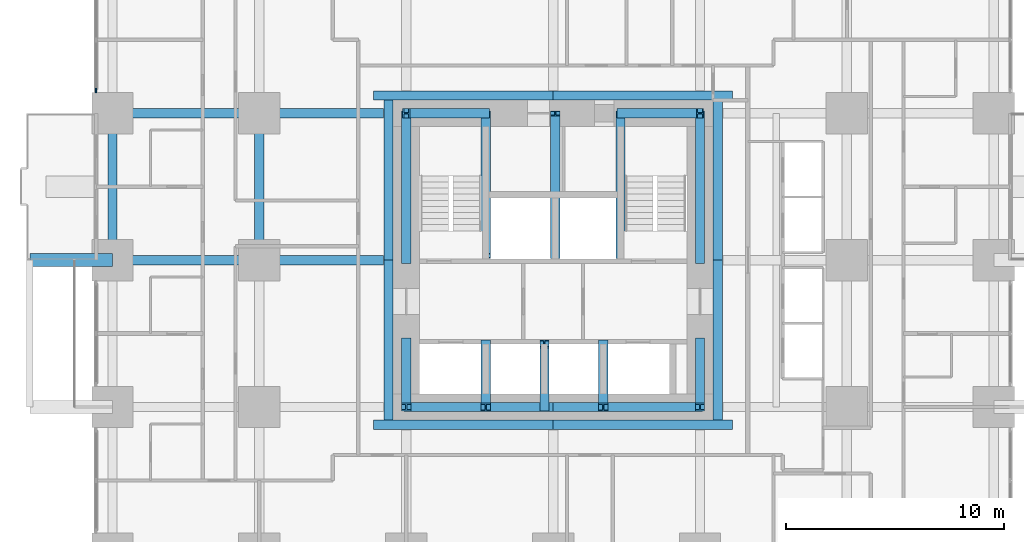
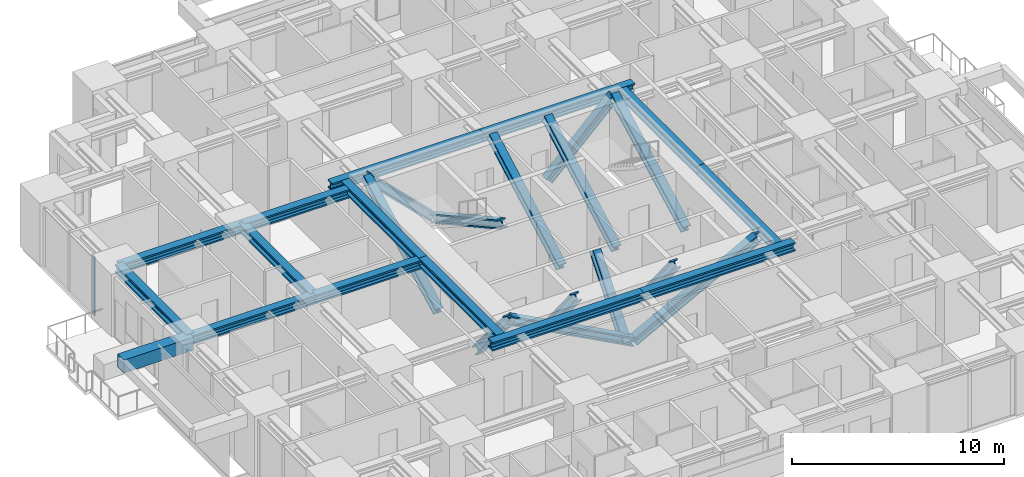
# One storey, part 3 of 14: 15 beams, 15 members, 1 element without a shape of its own.
"""IFC4 building model written with IfcOpenShell, lengths in metres."""

from ifc_helpers import new_model, si_unit, direction, frame, origin, origin_2d, place, context, subcontext, project, spatial, rectangle, i_section, extrude, material, material_profile, profile_set, type_object, element, aggregate, save


model = new_model("IFC4")

# Units and contexts
model_context = context("Model", 3, precision=1e-05, world=origin(), true_north=direction((0.0, 1.0)))
body_context = subcontext(model_context, "Body", "Model", "MODEL_VIEW")
ifc_project = project(units=[si_unit("LENGTHUNIT", "METRE"), si_unit("AREAUNIT", "SQUARE_METRE"), si_unit("VOLUMEUNIT", "CUBIC_METRE"), si_unit("PLANEANGLEUNIT", "RADIAN"), si_unit("MASSUNIT", "GRAM", prefix="KILO")], contexts=[model_context])

# Site, building, storey
site_placement = place(None, origin())
site = spatial("IfcSite", under=ifc_project, at=site_placement, CompositionType="ELEMENT")
building_placement = place(site_placement, origin())
building = spatial("IfcBuilding", under=site, at=building_placement, Name="Nyansa Garden Tower", CompositionType="ELEMENT")
storey_placement = place(building_placement, frame((0.0, 0.0, 28.800048828125)))
storey = spatial("IfcBuildingStorey", under=building, at=storey_placement, Name="L07", CompositionType="ELEMENT", Elevation=28.800048828125)

# Beam
ifc_material_1 = material(Name="Concrete C70/85", Category="concrete")
ifc_material_profile_1 = material_profile(ifc_material_1, rectangle(XDim=0.60009765625, YDim=0.75, at=origin_2d()), Name="RC 600x750")
ifc_profile_set_1 = profile_set([ifc_material_profile_1], Name="Concrete C70/85")
beam_type_1 = type_object("IfcBeamType", Name="Balcony cantilever beam CB1 RC 600x750", PredefinedType="BEAM", material=ifc_profile_set_1)
beam_1_placement = place(storey_placement, frame((0.0, 20.25, 2.98486328125), z_axis=(-1.0, 0.0, 0.0), x_axis=(0.0, -1.0, 0.0)))
element("IfcBeam", 1, at=beam_1_placement, inside=storey, type_object=beam_type_1, Name="Balcony cantilever beam L08", PredefinedType="BEAM", context=body_context, shape_type="SweptSolid", body=[
    extrude(rectangle(XDim=0.60009765625, YDim=0.75, at=origin_2d()), origin(), (0.0, 0.0, 1.0), 3.800048828125),
])

# Curtain wall, member
ifc_material_2 = material(Name="Black anodised aluminium, dark tinted double glazing", Category="aluminium")
curtain_wall_type = type_object("IfcCurtainWallType", Name="Inner skin curtain wall ISW-A", PredefinedType="USERDEFINED", material=ifc_material_2)
curtain_wall_placement = place(storey_placement, origin())
curtain_wall = element("IfcCurtainWall", 2, at=curtain_wall_placement, inside=storey, type_object=curtain_wall_type, Name="Inner skin curtain wall L07 W", ObjectType="UNITISED CURTAIN WALL", PredefinedType="USERDEFINED")
ifc_material_3 = material(Name="Black anodised aluminium", Category="aluminium")
ifc_material_profile_2 = material_profile(ifc_material_3, rectangle(XDim=0.06494140625, YDim=0.199951171875, at=origin_2d()), Name="Mullion 200x65")
ifc_profile_set_2 = profile_set([ifc_material_profile_2], Name="Black anodised aluminium")
member_type_1 = type_object("IfcMemberType", Name="Mullion ISW-A 200x65", PredefinedType="MULLION", material=ifc_profile_set_2)
member_1_placement = place(storey_placement, frame((-0.75, 28.050048828125, 0.0), z_axis=(0.0, 0.0, 1.0), x_axis=(1.0, 0.0, 0.0)))
member_1 = element("IfcMember", 3, at=member_1_placement, type_object=member_type_1, Name="ISW-A mullion 3", PredefinedType="MULLION", context=body_context, shape_type="SweptSolid", body=[
    extrude(rectangle(XDim=0.06494140625, YDim=0.199951171875, at=origin_2d()), origin(), (0.0, 0.0, 1.0), 3.375),
])
aggregate(curtain_wall, [member_1])

# Members
ifc_material_4 = material(Name="Steel S355", Category="steel")
ifc_material_profile_3 = material_profile(ifc_material_4, i_section(OverallWidth=0.424072265625, OverallDepth=0.47412109375, WebThickness=0.047607421875, FlangeThickness=0.076904296875, FilletRadius=0.014892578125, at=origin_2d()), Name="HD 400x634")
ifc_profile_set_3 = profile_set([ifc_material_profile_3], Name="Steel S355")
member_type_2 = type_object("IfcMemberType", Name="Perimeter brace HD 400x634", PredefinedType="BRACE", material=ifc_profile_set_3)
for number, where, z_axis, x_axis, name in (
    (4, (20.25, 13.5, 0.0), (-0.882360891967, 0.0, 0.470573327259), (0.0, -1.0, 0.0), "Core brace CS1 L07"),
    (5, (20.25, 13.5, 0.0), (0.882360891967, 0.0, 0.470573327259), (0.0, 1.0, 0.0), "Core brace CS2 L07"),
):
    element("IfcMember", number, at=place(storey_placement, frame(where, z_axis=z_axis, x_axis=x_axis)), inside=storey, type_object=member_type_2, Name=name, PredefinedType="BRACE", context=body_context, shape_type="SweptSolid", body=[
        extrude(i_section(OverallWidth=0.424072265625, OverallDepth=0.47412109375, WebThickness=0.047607421875, FlangeThickness=0.076904296875, FilletRadius=0.014892578125, at=origin_2d()), origin(), (0.0, 0.0, 1.0), 7.64990234375),
    ])
for number, where, z_axis, x_axis, name in (
    (6, (17.14990234375, 27.0, 0.0), (-0.711971340796, 0.0, 0.702208523079), (0.0, -1.0, 0.0), "Core brace CN3 L07"),
    (7, (23.35009765625, 27.0, 0.0), (0.711971340796, 0.0, 0.702208523079), (0.0, 1.0, 0.0), "Core brace CN4 L07"),
):
    element("IfcMember", number, at=place(storey_placement, frame(where, z_axis=z_axis, x_axis=x_axis)), inside=storey, type_object=member_type_2, Name=name, PredefinedType="BRACE", context=body_context, shape_type="SweptSolid", body=[
        extrude(i_section(OverallWidth=0.424072265625, OverallDepth=0.47412109375, WebThickness=0.047607421875, FlangeThickness=0.076904296875, FilletRadius=0.014892578125, at=origin_2d()), origin(), (0.0, 0.0, 1.0), 5.12646484375),
    ])
member_2_placement = place(storey_placement, frame((13.5, 16.5, 0.0), z_axis=(0.0, -0.640199773186, 0.768208468069), x_axis=(1.0, 0.0, 0.0)))
element("IfcMember", 8, at=member_2_placement, inside=storey, type_object=member_type_2, Name="Core brace CW5 L07", PredefinedType="BRACE", context=body_context, shape_type="SweptSolid", body=[
    extrude(i_section(OverallWidth=0.424072265625, OverallDepth=0.47412109375, WebThickness=0.047607421875, FlangeThickness=0.076904296875, FilletRadius=0.014892578125, at=origin_2d()), origin(), (0.0, 0.0, 1.0), 4.68603515625),
])
member_3_placement = place(storey_placement, frame((13.5, 20.199951171875, 0.0), z_axis=(0.0, 0.883797178129, 0.467870225524), x_axis=(-1.0, 0.0, 0.0)))
element("IfcMember", 9, at=member_3_placement, inside=storey, type_object=member_type_2, Name="Core brace CW6 L07", PredefinedType="BRACE", context=body_context, shape_type="SweptSolid", body=[
    extrude(i_section(OverallWidth=0.424072265625, OverallDepth=0.47412109375, WebThickness=0.047607421875, FlangeThickness=0.076904296875, FilletRadius=0.014892578125, at=origin_2d()), origin(), (0.0, 0.0, 1.0), 7.694091796875),
])
member_4_placement = place(storey_placement, frame((27.0, 16.5, 0.0), z_axis=(0.0, -0.640199773186, 0.768208468069), x_axis=(1.0, 0.0, 0.0)))
element("IfcMember", 10, at=member_4_placement, inside=storey, type_object=member_type_2, Name="Core brace CE7 L07", PredefinedType="BRACE", context=body_context, shape_type="SweptSolid", body=[
    extrude(i_section(OverallWidth=0.424072265625, OverallDepth=0.47412109375, WebThickness=0.047607421875, FlangeThickness=0.076904296875, FilletRadius=0.014892578125, at=origin_2d()), origin(), (0.0, 0.0, 1.0), 4.68603515625),
])
member_5_placement = place(storey_placement, frame((27.0, 20.199951171875, 0.0), z_axis=(0.0, 0.883797178129, 0.467870225524), x_axis=(-1.0, 0.0, 0.0)))
element("IfcMember", 11, at=member_5_placement, inside=storey, type_object=member_type_2, Name="Core brace CE8 L07", PredefinedType="BRACE", context=body_context, shape_type="SweptSolid", body=[
    extrude(i_section(OverallWidth=0.424072265625, OverallDepth=0.47412109375, WebThickness=0.047607421875, FlangeThickness=0.076904296875, FilletRadius=0.014892578125, at=origin_2d()), origin(), (0.0, 0.0, 1.0), 7.694091796875),
])
for number, where, z_axis, x_axis, name in (
    (12, (17.14990234375, 27.0, 0.0), (0.0, -0.876366901673, 0.481644115143), (1.0, 0.0, 0.0), "Core brace CWS9 L07"),
    (13, (23.35009765625, 20.449951171875, 0.0), (0.0, 0.876366901673, 0.481644115143), (-1.0, 0.0, 0.0), "Core brace CES10 L07"),
):
    element("IfcMember", number, at=place(storey_placement, frame(where, z_axis=z_axis, x_axis=x_axis)), inside=storey, type_object=member_type_2, Name=name, PredefinedType="BRACE", context=body_context, shape_type="SweptSolid", body=[
        extrude(i_section(OverallWidth=0.424072265625, OverallDepth=0.47412109375, WebThickness=0.047607421875, FlangeThickness=0.076904296875, FilletRadius=0.014892578125, at=origin_2d()), origin(), (0.0, 0.0, 1.0), 7.47412109375),
    ])
for number, where, z_axis, x_axis, name in (
    (14, (17.14990234375, 16.39990234375, 0.0), (0.0, -0.627332207022, 0.778751758928), (1.0, 0.0, 0.0), "Core brace CSW11 L07"),
    (15, (19.85009765625, 13.5, 0.0), (0.0, 0.627332207022, 0.778751758928), (-1.0, 0.0, 0.0), "Core brace CSW12 L07"),
    (16, (22.550048828125, 16.39990234375, 0.0), (0.0, -0.627332207022, 0.778751758928), (1.0, 0.0, 0.0), "Core brace CSW13 L07"),
):
    element("IfcMember", number, at=place(storey_placement, frame(where, z_axis=z_axis, x_axis=x_axis)), inside=storey, type_object=member_type_2, Name=name, PredefinedType="BRACE", context=body_context, shape_type="SweptSolid", body=[
        extrude(i_section(OverallWidth=0.424072265625, OverallDepth=0.47412109375, WebThickness=0.047607421875, FlangeThickness=0.076904296875, FilletRadius=0.014892578125, at=origin_2d()), origin(), (0.0, 0.0, 1.0), 4.62255859375),
    ])
member_6_placement = place(storey_placement, frame((20.35009765625, 20.449951171875, 0.0), z_axis=(0.0, 0.876366901673, 0.481644115143), x_axis=(-1.0, 0.0, 0.0)))
element("IfcMember", 17, at=member_6_placement, inside=storey, type_object=member_type_2, Name="Core brace CNW14 L07", PredefinedType="BRACE", context=body_context, shape_type="SweptSolid", body=[
    extrude(i_section(OverallWidth=0.424072265625, OverallDepth=0.47412109375, WebThickness=0.047607421875, FlangeThickness=0.076904296875, FilletRadius=0.014892578125, at=origin_2d()), origin(), (0.0, 0.0, 1.0), 7.47412109375),
])

# Beams
ifc_material_5 = material(Name="Steel S355", Category="steel")
ifc_material_profile_4 = material_profile(ifc_material_5, i_section(OverallWidth=0.431884765625, OverallDepth=0.498046875, WebThickness=0.0556640625, FlangeThickness=0.0888671875, FilletRadius=0.014892578125, at=origin_2d()), Name="HD 400x744")
ifc_profile_set_4 = profile_set([ifc_material_profile_4], Name="Steel S355")
beam_type_2 = type_object("IfcBeamType", Name="Steel beam SBA1-744 HD 400x744", PredefinedType="BEAM", material=ifc_profile_set_4)
for number, where, z_axis, x_axis, name in (
    (18, (0.0, 20.25, 3.1259765625), (1.0, 0.0, 0.0), (0.0, 1.0, 0.0), "Steel beam 2/G-3/G L08"),
    (19, (0.0, 27.0, 3.1259765625), (1.0, 0.0, 0.0), (0.0, 1.0, 0.0), "Steel beam 2/H-3/H L08"),
    (20, (6.75, 20.25, 3.1259765625), (0.0, 1.0, 0.0), (-1.0, 0.0, 0.0), "Steel beam 3/G-3/H L08"),
):
    element("IfcBeam", number, at=place(storey_placement, frame(where, z_axis=z_axis, x_axis=x_axis)), inside=storey, type_object=beam_type_2, Name=name, PredefinedType="BEAM", context=body_context, shape_type="SweptSolid", body=[
        extrude(i_section(OverallWidth=0.431884765625, OverallDepth=0.498046875, WebThickness=0.0556640625, FlangeThickness=0.0888671875, FilletRadius=0.014892578125, at=origin_2d()), origin(), (0.0, 0.0, 1.0), 6.75),
    ])
for number, where, z_axis, x_axis, name in (
    (21, (6.75, 20.25, 3.1259765625), (1.0, 0.0, 0.0), (0.0, 1.0, 0.0), "Steel beam 3/G-12.450/G L08"),
    (22, (6.75, 27.0, 3.1259765625), (1.0, 0.0, 0.0), (0.0, 1.0, 0.0), "Steel beam 3/H-12.450/H L08"),
):
    element("IfcBeam", number, at=place(storey_placement, frame(where, z_axis=z_axis, x_axis=x_axis)), inside=storey, type_object=beam_type_2, Name=name, PredefinedType="BEAM", context=body_context, shape_type="SweptSolid", body=[
        extrude(i_section(OverallWidth=0.431884765625, OverallDepth=0.498046875, WebThickness=0.0556640625, FlangeThickness=0.0888671875, FilletRadius=0.014892578125, at=origin_2d()), origin(), (0.0, 0.0, 1.0), 5.699951171875),
    ])
ifc_material_6 = material(Name="Steel S355", Category="steel")
ifc_material_profile_5 = material_profile(ifc_material_6, i_section(OverallWidth=0.431884765625, OverallDepth=0.498046875, WebThickness=0.0556640625, FlangeThickness=0.0888671875, FilletRadius=0.014892578125, at=origin_2d()), Name="HD 400x744")
ifc_profile_set_5 = profile_set([ifc_material_profile_5], Name="Steel S355")
beam_type_3 = type_object("IfcBeamType", Name="Steel beam SEBA-744 HD 400x744", PredefinedType="BEAM", material=ifc_profile_set_5)
beam_2_placement = place(storey_placement, frame((0.0, 20.25, 3.1259765625), z_axis=(0.0, 1.0, 0.0), x_axis=(-1.0, 0.0, 0.0)))
element("IfcBeam", 23, at=beam_2_placement, inside=storey, type_object=beam_type_3, Name="Steel edge beam 2/G-2/H L08", PredefinedType="BEAM", context=body_context, shape_type="SweptSolid", body=[
    extrude(i_section(OverallWidth=0.431884765625, OverallDepth=0.498046875, WebThickness=0.0556640625, FlangeThickness=0.0888671875, FilletRadius=0.014892578125, at=origin_2d()), origin(), (0.0, 0.0, 1.0), 6.75),
])
ifc_material_7 = material(Name="Steel S355", Category="steel")
ifc_material_profile_6 = material_profile(ifc_material_7, i_section(OverallWidth=0.431884765625, OverallDepth=0.498046875, WebThickness=0.0556640625, FlangeThickness=0.0888671875, FilletRadius=0.014892578125, at=origin_2d()), Name="HD 400x744")
ifc_profile_set_6 = profile_set([ifc_material_profile_6], Name="Steel S355")
beam_type_4 = type_object("IfcBeamType", Name="Steel beam SLB1-744 HD 400x744", PredefinedType="BEAM", material=ifc_profile_set_6)
for number, where, z_axis, x_axis, name in (
    (24, (12.0, 12.68408203125, 3.1259765625), (1.0, 0.0, 0.0), (0.0, 1.0, 0.0), "Steel core ledger beam S.1 L08"),
    (25, (20.25, 12.68408203125, 3.1259765625), (1.0, 0.0, 0.0), (0.0, 1.0, 0.0), "Steel core ledger beam S.2 L08"),
):
    element("IfcBeam", number, at=place(storey_placement, frame(where, z_axis=z_axis, x_axis=x_axis)), inside=storey, type_object=beam_type_4, Name=name, PredefinedType="BEAM", context=body_context, shape_type="SweptSolid", body=[
        extrude(i_section(OverallWidth=0.431884765625, OverallDepth=0.498046875, WebThickness=0.0556640625, FlangeThickness=0.0888671875, FilletRadius=0.014892578125, at=origin_2d()), origin(), (0.0, 0.0, 1.0), 8.25),
    ])
for number, where, z_axis, x_axis, name in (
    (26, (27.81591796875, 12.89990234375, 3.1259765625), (0.0, 1.0, 0.0), (-1.0, 0.0, 0.0), "Steel core ledger beam E.1 L08"),
    (27, (27.81591796875, 20.25, 3.1259765625), (0.0, 1.0, 0.0), (-1.0, 0.0, 0.0), "Steel core ledger beam E.2 L08"),
):
    element("IfcBeam", number, at=place(storey_placement, frame(where, z_axis=z_axis, x_axis=x_axis)), inside=storey, type_object=beam_type_4, Name=name, PredefinedType="BEAM", context=body_context, shape_type="SweptSolid", body=[
        extrude(i_section(OverallWidth=0.431884765625, OverallDepth=0.498046875, WebThickness=0.0556640625, FlangeThickness=0.0888671875, FilletRadius=0.014892578125, at=origin_2d()), origin(), (0.0, 0.0, 1.0), 7.35009765625),
    ])
for number, where, z_axis, x_axis, name in (
    (28, (28.5, 27.81591796875, 3.1259765625), (-1.0, 0.0, 0.0), (0.0, -1.0, 0.0), "Steel core ledger beam N.1 L08"),
    (29, (20.25, 27.81591796875, 3.1259765625), (-1.0, 0.0, 0.0), (0.0, -1.0, 0.0), "Steel core ledger beam N.2 L08"),
):
    element("IfcBeam", number, at=place(storey_placement, frame(where, z_axis=z_axis, x_axis=x_axis)), inside=storey, type_object=beam_type_4, Name=name, PredefinedType="BEAM", context=body_context, shape_type="SweptSolid", body=[
        extrude(i_section(OverallWidth=0.431884765625, OverallDepth=0.498046875, WebThickness=0.0556640625, FlangeThickness=0.0888671875, FilletRadius=0.014892578125, at=origin_2d()), origin(), (0.0, 0.0, 1.0), 8.25),
    ])
for number, where, z_axis, x_axis, name in (
    (30, (12.68408203125, 27.60009765625, 3.1259765625), (0.0, -1.0, 0.0), (1.0, 0.0, 0.0), "Steel core ledger beam W.1 L08"),
    (31, (12.68408203125, 20.25, 3.1259765625), (0.0, -1.0, 0.0), (1.0, 0.0, 0.0), "Steel core ledger beam W.2 L08"),
):
    element("IfcBeam", number, at=place(storey_placement, frame(where, z_axis=z_axis, x_axis=x_axis)), inside=storey, type_object=beam_type_4, Name=name, PredefinedType="BEAM", context=body_context, shape_type="SweptSolid", body=[
        extrude(i_section(OverallWidth=0.431884765625, OverallDepth=0.498046875, WebThickness=0.0556640625, FlangeThickness=0.0888671875, FilletRadius=0.014892578125, at=origin_2d()), origin(), (0.0, 0.0, 1.0), 7.35009765625),
    ])

save(model, "model.ifc")
